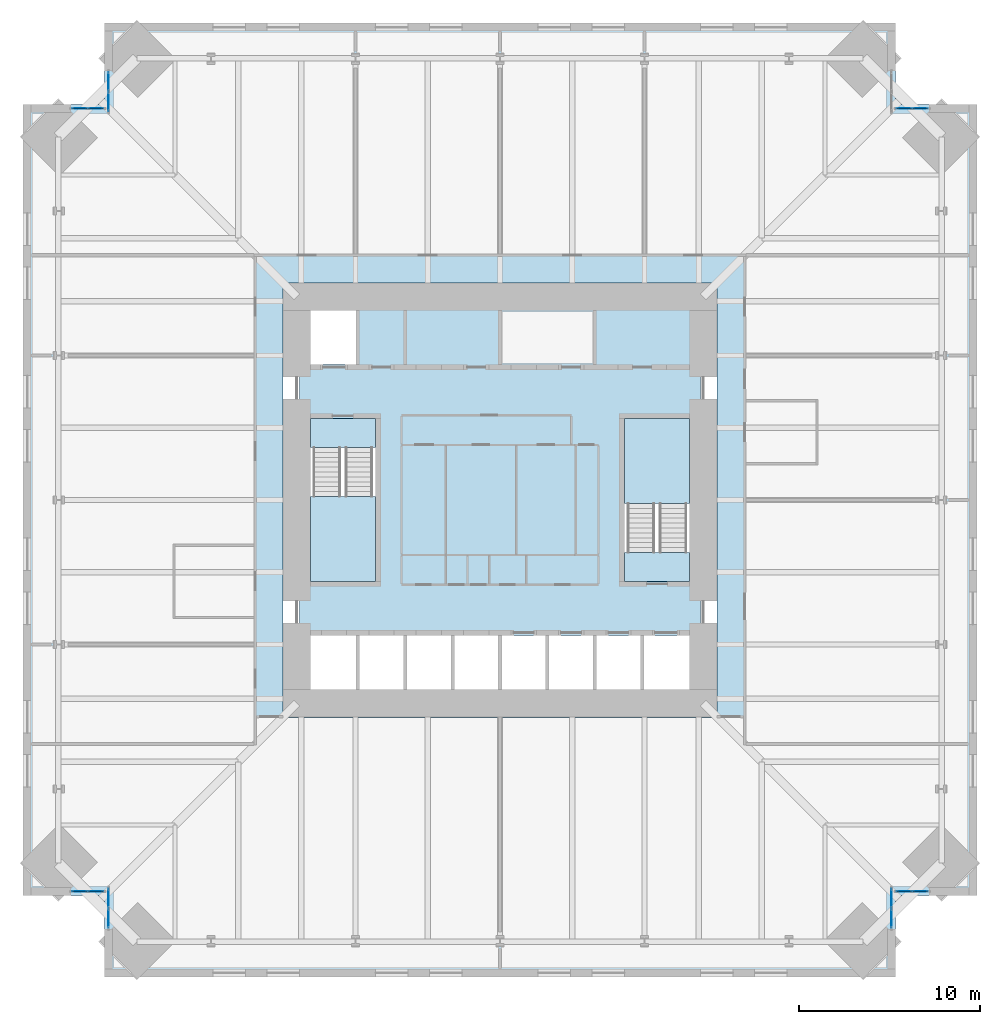
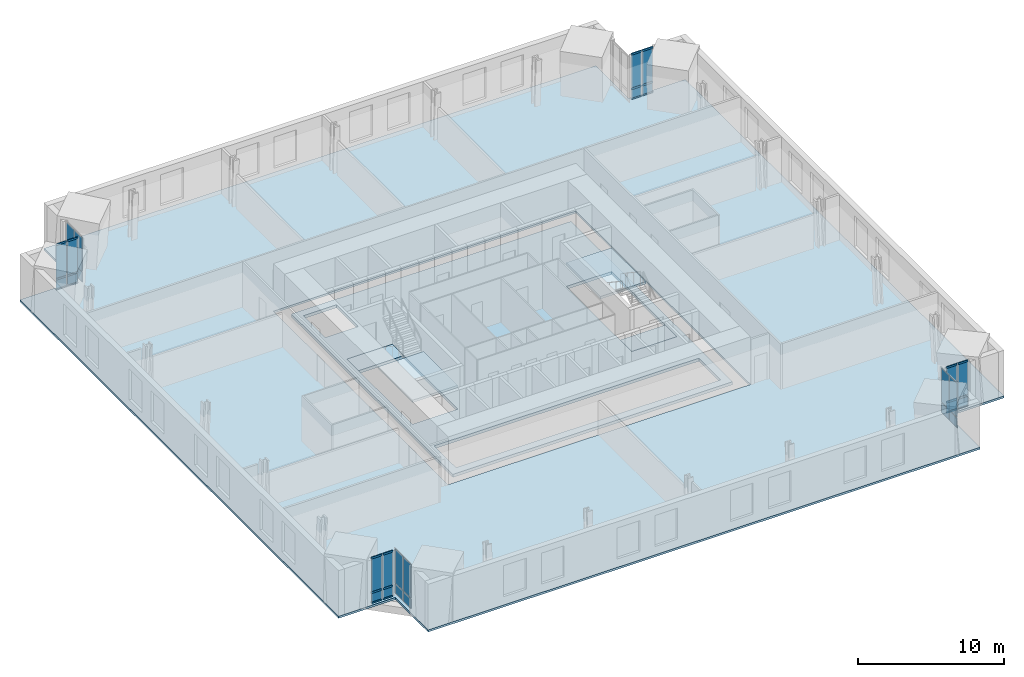
# One storey, part 12 of 18: 28 plates, 24 members, 6 slabs, 9 elements without a shape of their own.
"""IFC4 building model written with IfcOpenShell, lengths in metres."""

from ifc_helpers import new_model, si_unit, direction, frame, origin, origin_2d, place, context, subcontext, project, spatial, polyline, rectangle, hollow_rectangle, outline, extrude, material, layer, layer_set, material_profile, profile_set, type_object, element, aggregate, save


model = new_model("IFC4")

# Units and contexts
model_context = context("Model", 3, precision=1e-05, world=origin(), true_north=direction((0.0, 1.0)))
body_context = subcontext(model_context, "Body", "Model", "MODEL_VIEW")
ifc_project = project(units=[si_unit("LENGTHUNIT", "METRE"), si_unit("AREAUNIT", "SQUARE_METRE"), si_unit("VOLUMEUNIT", "CUBIC_METRE"), si_unit("PLANEANGLEUNIT", "RADIAN"), si_unit("MASSUNIT", "GRAM", prefix="KILO")], contexts=[model_context])

# Site, building, storey
site_placement = place(None, origin())
site = spatial("IfcSite", under=ifc_project, at=site_placement, CompositionType="ELEMENT")
building_placement = place(site_placement, origin())
building = spatial("IfcBuilding", under=site, at=building_placement, Name="Peilmerk Tower", CompositionType="ELEMENT")
storey_placement = place(building_placement, frame((0.0, 0.0, 159.800048828125)))
storey = spatial("IfcBuildingStorey", under=building, at=storey_placement, Name="L33", CompositionType="ELEMENT", Elevation=159.800048828125)

# Curtain wall, members
ifc_material_1 = material(Name="Aluminium stick curtain wall", Category="aluminium")
curtain_wall_type = type_object("IfcCurtainWallType", Name="CW3 stick curtain wall, 2250 module", PredefinedType="NOTDEFINED", material=ifc_material_1)
curtain_wall_1_placement = place(storey_placement, origin())
curtain_wall_1 = element("IfcCurtainWall", 1, at=curtain_wall_1_placement, inside=storey, type_object=curtain_wall_type, Name="Curtain wall CW3 NEB L33", PredefinedType="NOTDEFINED")
ifc_material_2 = material(Name="Aluminium EN AW-6063 T6", Category="aluminium")
ifc_material_profile = material_profile(ifc_material_2, hollow_rectangle(XDim=0.06494140625, YDim=0.14990234375, WallThickness=0.0029296875, at=origin_2d()), Name="AL 150x65x3")
ifc_profile_set = profile_set([ifc_material_profile], Name="Aluminium EN AW-6063 T6")
member_type = type_object("IfcMemberType", Name="CW3-T AL 150x65x3 transom", PredefinedType="USERDEFINED", material=ifc_profile_set)
member_1_placement = place(storey_placement, frame((21.965087890625, 21.675048828125, 0.032470703125), z_axis=(1.0, 0.0, 0.0), x_axis=(0.0, 1.0, 0.0)))
member_1 = element("IfcMember", 2, at=member_1_placement, type_object=member_type, Name="CW3 transom 1.1", ObjectType="TRANSOM", PredefinedType="USERDEFINED", context=body_context, shape_type="SweptSolid", body=[
    extrude(hollow_rectangle(XDim=0.06494140625, YDim=0.14990234375, WallThickness=0.0029296875, at=origin_2d()), origin(), (0.0, 0.0, 1.0), 0.82177734375),
])
member_2_placement = place(storey_placement, frame((21.965087890625, 21.675048828125, 0.89990234375), z_axis=(1.0, 0.0, 0.0), x_axis=(0.0, 1.0, 0.0)))
member_2 = element("IfcMember", 3, at=member_2_placement, type_object=member_type, Name="CW3 transom 1.2", ObjectType="TRANSOM", PredefinedType="USERDEFINED", context=body_context, shape_type="SweptSolid", body=[
    extrude(hollow_rectangle(XDim=0.06494140625, YDim=0.14990234375, WallThickness=0.0029296875, at=origin_2d()), origin(), (0.0, 0.0, 1.0), 0.82177734375),
])
member_3_placement = place(storey_placement, frame((21.965087890625, 21.675048828125, 3.79736328125), z_axis=(1.0, 0.0, 0.0), x_axis=(0.0, 1.0, 0.0)))
member_3 = element("IfcMember", 4, at=member_3_placement, type_object=member_type, Name="CW3 transom 1.3", ObjectType="TRANSOM", PredefinedType="USERDEFINED", context=body_context, shape_type="SweptSolid", body=[
    extrude(hollow_rectangle(XDim=0.06494140625, YDim=0.14990234375, WallThickness=0.0029296875, at=origin_2d()), origin(), (0.0, 0.0, 1.0), 0.82177734375),
])
member_4_placement = place(storey_placement, frame((22.851806640625, 21.675048828125, 0.032470703125), z_axis=(1.0, 0.0, 0.0), x_axis=(0.0, 1.0, 0.0)))
member_4 = element("IfcMember", 5, at=member_4_placement, type_object=member_type, Name="CW3 transom 2.1", ObjectType="TRANSOM", PredefinedType="USERDEFINED", context=body_context, shape_type="SweptSolid", body=[
    extrude(hollow_rectangle(XDim=0.06494140625, YDim=0.14990234375, WallThickness=0.0029296875, at=origin_2d()), origin(), (0.0, 0.0, 1.0), 0.82177734375),
])
member_5_placement = place(storey_placement, frame((22.851806640625, 21.675048828125, 0.89990234375), z_axis=(1.0, 0.0, 0.0), x_axis=(0.0, 1.0, 0.0)))
member_5 = element("IfcMember", 6, at=member_5_placement, type_object=member_type, Name="CW3 transom 2.2", ObjectType="TRANSOM", PredefinedType="USERDEFINED", context=body_context, shape_type="SweptSolid", body=[
    extrude(hollow_rectangle(XDim=0.06494140625, YDim=0.14990234375, WallThickness=0.0029296875, at=origin_2d()), origin(), (0.0, 0.0, 1.0), 0.82177734375),
])
member_6_placement = place(storey_placement, frame((22.851806640625, 21.675048828125, 3.79736328125), z_axis=(1.0, 0.0, 0.0), x_axis=(0.0, 1.0, 0.0)))
member_6 = element("IfcMember", 7, at=member_6_placement, type_object=member_type, Name="CW3 transom 2.3", ObjectType="TRANSOM", PredefinedType="USERDEFINED", context=body_context, shape_type="SweptSolid", body=[
    extrude(hollow_rectangle(XDim=0.06494140625, YDim=0.14990234375, WallThickness=0.0029296875, at=origin_2d()), origin(), (0.0, 0.0, 1.0), 0.82177734375),
])

curtain_wall_2_placement = place(storey_placement, origin())
curtain_wall_2 = element("IfcCurtainWall", 8, at=curtain_wall_2_placement, inside=storey, type_object=curtain_wall_type, Name="Curtain wall CW3 SEB L33", PredefinedType="NOTDEFINED")
member_7_placement = place(storey_placement, frame((21.965087890625, -21.675048828125, 0.032470703125), z_axis=(1.0, 0.0, 0.0), x_axis=(0.0, 1.0, 0.0)))
member_7 = element("IfcMember", 9, at=member_7_placement, type_object=member_type, Name="CW3 transom 1.1", ObjectType="TRANSOM", PredefinedType="USERDEFINED", context=body_context, shape_type="SweptSolid", body=[
    extrude(hollow_rectangle(XDim=0.06494140625, YDim=0.14990234375, WallThickness=0.0029296875, at=origin_2d()), origin(), (0.0, 0.0, 1.0), 0.82177734375),
])
member_8_placement = place(storey_placement, frame((21.965087890625, -21.675048828125, 0.89990234375), z_axis=(1.0, 0.0, 0.0), x_axis=(0.0, 1.0, 0.0)))
member_8 = element("IfcMember", 10, at=member_8_placement, type_object=member_type, Name="CW3 transom 1.2", ObjectType="TRANSOM", PredefinedType="USERDEFINED", context=body_context, shape_type="SweptSolid", body=[
    extrude(hollow_rectangle(XDim=0.06494140625, YDim=0.14990234375, WallThickness=0.0029296875, at=origin_2d()), origin(), (0.0, 0.0, 1.0), 0.82177734375),
])
member_9_placement = place(storey_placement, frame((21.965087890625, -21.675048828125, 3.79736328125), z_axis=(1.0, 0.0, 0.0), x_axis=(0.0, 1.0, 0.0)))
member_9 = element("IfcMember", 11, at=member_9_placement, type_object=member_type, Name="CW3 transom 1.3", ObjectType="TRANSOM", PredefinedType="USERDEFINED", context=body_context, shape_type="SweptSolid", body=[
    extrude(hollow_rectangle(XDim=0.06494140625, YDim=0.14990234375, WallThickness=0.0029296875, at=origin_2d()), origin(), (0.0, 0.0, 1.0), 0.82177734375),
])
member_10_placement = place(storey_placement, frame((22.851806640625, -21.675048828125, 0.032470703125), z_axis=(1.0, 0.0, 0.0), x_axis=(0.0, 1.0, 0.0)))
member_10 = element("IfcMember", 12, at=member_10_placement, type_object=member_type, Name="CW3 transom 2.1", ObjectType="TRANSOM", PredefinedType="USERDEFINED", context=body_context, shape_type="SweptSolid", body=[
    extrude(hollow_rectangle(XDim=0.06494140625, YDim=0.14990234375, WallThickness=0.0029296875, at=origin_2d()), origin(), (0.0, 0.0, 1.0), 0.82177734375),
])
member_11_placement = place(storey_placement, frame((22.851806640625, -21.675048828125, 0.89990234375), z_axis=(1.0, 0.0, 0.0), x_axis=(0.0, 1.0, 0.0)))
member_11 = element("IfcMember", 13, at=member_11_placement, type_object=member_type, Name="CW3 transom 2.2", ObjectType="TRANSOM", PredefinedType="USERDEFINED", context=body_context, shape_type="SweptSolid", body=[
    extrude(hollow_rectangle(XDim=0.06494140625, YDim=0.14990234375, WallThickness=0.0029296875, at=origin_2d()), origin(), (0.0, 0.0, 1.0), 0.82177734375),
])
member_12_placement = place(storey_placement, frame((22.851806640625, -21.675048828125, 3.79736328125), z_axis=(1.0, 0.0, 0.0), x_axis=(0.0, 1.0, 0.0)))
member_12 = element("IfcMember", 14, at=member_12_placement, type_object=member_type, Name="CW3 transom 2.3", ObjectType="TRANSOM", PredefinedType="USERDEFINED", context=body_context, shape_type="SweptSolid", body=[
    extrude(hollow_rectangle(XDim=0.06494140625, YDim=0.14990234375, WallThickness=0.0029296875, at=origin_2d()), origin(), (0.0, 0.0, 1.0), 0.82177734375),
])

curtain_wall_3_placement = place(storey_placement, origin())
curtain_wall_3 = element("IfcCurtainWall", 15, at=curtain_wall_3_placement, inside=storey, type_object=curtain_wall_type, Name="Curtain wall CW3 SWB L33", PredefinedType="NOTDEFINED")
member_13_placement = place(storey_placement, frame((-21.965087890625, -21.675048828125, 0.032470703125), z_axis=(-1.0, 0.0, 0.0), x_axis=(0.0, -1.0, 0.0)))
member_13 = element("IfcMember", 16, at=member_13_placement, type_object=member_type, Name="CW3 transom 1.1", ObjectType="TRANSOM", PredefinedType="USERDEFINED", context=body_context, shape_type="SweptSolid", body=[
    extrude(hollow_rectangle(XDim=0.06494140625, YDim=0.14990234375, WallThickness=0.0029296875, at=origin_2d()), origin(), (0.0, 0.0, 1.0), 0.82177734375),
])
member_14_placement = place(storey_placement, frame((-21.965087890625, -21.675048828125, 0.89990234375), z_axis=(-1.0, 0.0, 0.0), x_axis=(0.0, -1.0, 0.0)))
member_14 = element("IfcMember", 17, at=member_14_placement, type_object=member_type, Name="CW3 transom 1.2", ObjectType="TRANSOM", PredefinedType="USERDEFINED", context=body_context, shape_type="SweptSolid", body=[
    extrude(hollow_rectangle(XDim=0.06494140625, YDim=0.14990234375, WallThickness=0.0029296875, at=origin_2d()), origin(), (0.0, 0.0, 1.0), 0.82177734375),
])
member_15_placement = place(storey_placement, frame((-21.965087890625, -21.675048828125, 3.79736328125), z_axis=(-1.0, 0.0, 0.0), x_axis=(0.0, -1.0, 0.0)))
member_15 = element("IfcMember", 18, at=member_15_placement, type_object=member_type, Name="CW3 transom 1.3", ObjectType="TRANSOM", PredefinedType="USERDEFINED", context=body_context, shape_type="SweptSolid", body=[
    extrude(hollow_rectangle(XDim=0.06494140625, YDim=0.14990234375, WallThickness=0.0029296875, at=origin_2d()), origin(), (0.0, 0.0, 1.0), 0.82177734375),
])
member_16_placement = place(storey_placement, frame((-22.851806640625, -21.675048828125, 0.032470703125), z_axis=(-1.0, 0.0, 0.0), x_axis=(0.0, -1.0, 0.0)))
member_16 = element("IfcMember", 19, at=member_16_placement, type_object=member_type, Name="CW3 transom 2.1", ObjectType="TRANSOM", PredefinedType="USERDEFINED", context=body_context, shape_type="SweptSolid", body=[
    extrude(hollow_rectangle(XDim=0.06494140625, YDim=0.14990234375, WallThickness=0.0029296875, at=origin_2d()), origin(), (0.0, 0.0, 1.0), 0.82177734375),
])
member_17_placement = place(storey_placement, frame((-22.851806640625, -21.675048828125, 0.89990234375), z_axis=(-1.0, 0.0, 0.0), x_axis=(0.0, -1.0, 0.0)))
member_17 = element("IfcMember", 20, at=member_17_placement, type_object=member_type, Name="CW3 transom 2.2", ObjectType="TRANSOM", PredefinedType="USERDEFINED", context=body_context, shape_type="SweptSolid", body=[
    extrude(hollow_rectangle(XDim=0.06494140625, YDim=0.14990234375, WallThickness=0.0029296875, at=origin_2d()), origin(), (0.0, 0.0, 1.0), 0.82177734375),
])
member_18_placement = place(storey_placement, frame((-22.851806640625, -21.675048828125, 3.79736328125), z_axis=(-1.0, 0.0, 0.0), x_axis=(0.0, -1.0, 0.0)))
member_18 = element("IfcMember", 21, at=member_18_placement, type_object=member_type, Name="CW3 transom 2.3", ObjectType="TRANSOM", PredefinedType="USERDEFINED", context=body_context, shape_type="SweptSolid", body=[
    extrude(hollow_rectangle(XDim=0.06494140625, YDim=0.14990234375, WallThickness=0.0029296875, at=origin_2d()), origin(), (0.0, 0.0, 1.0), 0.82177734375),
])

curtain_wall_4_placement = place(storey_placement, origin())
curtain_wall_4 = element("IfcCurtainWall", 22, at=curtain_wall_4_placement, inside=storey, type_object=curtain_wall_type, Name="Curtain wall CW3 NWB L33", PredefinedType="NOTDEFINED")
member_19_placement = place(storey_placement, frame((-21.965087890625, 21.675048828125, 0.032470703125), z_axis=(-1.0, 0.0, 0.0), x_axis=(0.0, -1.0, 0.0)))
member_19 = element("IfcMember", 23, at=member_19_placement, type_object=member_type, Name="CW3 transom 1.1", ObjectType="TRANSOM", PredefinedType="USERDEFINED", context=body_context, shape_type="SweptSolid", body=[
    extrude(hollow_rectangle(XDim=0.06494140625, YDim=0.14990234375, WallThickness=0.0029296875, at=origin_2d()), origin(), (0.0, 0.0, 1.0), 0.82177734375),
])
member_20_placement = place(storey_placement, frame((-21.965087890625, 21.675048828125, 0.89990234375), z_axis=(-1.0, 0.0, 0.0), x_axis=(0.0, -1.0, 0.0)))
member_20 = element("IfcMember", 24, at=member_20_placement, type_object=member_type, Name="CW3 transom 1.2", ObjectType="TRANSOM", PredefinedType="USERDEFINED", context=body_context, shape_type="SweptSolid", body=[
    extrude(hollow_rectangle(XDim=0.06494140625, YDim=0.14990234375, WallThickness=0.0029296875, at=origin_2d()), origin(), (0.0, 0.0, 1.0), 0.82177734375),
])
member_21_placement = place(storey_placement, frame((-21.965087890625, 21.675048828125, 3.79736328125), z_axis=(-1.0, 0.0, 0.0), x_axis=(0.0, -1.0, 0.0)))
member_21 = element("IfcMember", 25, at=member_21_placement, type_object=member_type, Name="CW3 transom 1.3", ObjectType="TRANSOM", PredefinedType="USERDEFINED", context=body_context, shape_type="SweptSolid", body=[
    extrude(hollow_rectangle(XDim=0.06494140625, YDim=0.14990234375, WallThickness=0.0029296875, at=origin_2d()), origin(), (0.0, 0.0, 1.0), 0.82177734375),
])
member_22_placement = place(storey_placement, frame((-22.851806640625, 21.675048828125, 0.032470703125), z_axis=(-1.0, 0.0, 0.0), x_axis=(0.0, -1.0, 0.0)))
member_22 = element("IfcMember", 26, at=member_22_placement, type_object=member_type, Name="CW3 transom 2.1", ObjectType="TRANSOM", PredefinedType="USERDEFINED", context=body_context, shape_type="SweptSolid", body=[
    extrude(hollow_rectangle(XDim=0.06494140625, YDim=0.14990234375, WallThickness=0.0029296875, at=origin_2d()), origin(), (0.0, 0.0, 1.0), 0.82177734375),
])
member_23_placement = place(storey_placement, frame((-22.851806640625, 21.675048828125, 0.89990234375), z_axis=(-1.0, 0.0, 0.0), x_axis=(0.0, -1.0, 0.0)))
member_23 = element("IfcMember", 27, at=member_23_placement, type_object=member_type, Name="CW3 transom 2.2", ObjectType="TRANSOM", PredefinedType="USERDEFINED", context=body_context, shape_type="SweptSolid", body=[
    extrude(hollow_rectangle(XDim=0.06494140625, YDim=0.14990234375, WallThickness=0.0029296875, at=origin_2d()), origin(), (0.0, 0.0, 1.0), 0.82177734375),
])
member_24_placement = place(storey_placement, frame((-22.851806640625, 21.675048828125, 3.79736328125), z_axis=(-1.0, 0.0, 0.0), x_axis=(0.0, -1.0, 0.0)))
member_24 = element("IfcMember", 28, at=member_24_placement, type_object=member_type, Name="CW3 transom 2.3", ObjectType="TRANSOM", PredefinedType="USERDEFINED", context=body_context, shape_type="SweptSolid", body=[
    extrude(hollow_rectangle(XDim=0.06494140625, YDim=0.14990234375, WallThickness=0.0029296875, at=origin_2d()), origin(), (0.0, 0.0, 1.0), 0.82177734375),
])

# Slab
ifc_material_3 = material(Name="Concrete C55/67", Category="concrete")
ifc_layer_1 = layer(ifc_material_3, 0.25)
ifc_layer_set_1 = layer_set([ifc_layer_1], Name="Concrete C55/67")
slab_type_1 = type_object("IfcSlabType", Name="CS250 250 core floor slab", PredefinedType="FLOOR", material=ifc_layer_set_1)
slab_1_placement = place(storey_placement, frame((0.0, 0.0, -0.25)))
element("IfcSlab", 29, at=slab_1_placement, inside=storey, type_object=slab_type_1, Name="Core slab L33", PredefinedType="FLOOR", context=body_context, shape_type="SweptSolid", body=[
    extrude(outline(polyline([(11.10009765625, 11.10009765625), (-11.10009765625, 11.10009765625), (-11.10009765625, -11.10009765625), (11.10009765625, -11.10009765625), (11.10009765625, 11.10009765625)]), holes=[polyline([(-10.5, 7.5), (-10.5, 10.5), (-7.875, 10.5), (-7.875, 7.5), (-10.5, 7.5)]), polyline([(-10.5, -10.5), (-10.5, -7.5), (10.5, -7.5), (10.5, -10.5), (-10.5, -10.5)]), polyline([(-10.5, 4.5), (-6.89990234375, 4.5), (-6.89990234375, -4.5), (-10.5, -4.5), (-10.5, 4.5)]), polyline([(10.5, 4.5), (10.5, -4.5), (6.89990234375, -4.5), (6.89990234375, 4.5), (10.5, 4.5)])]), origin(), (0.0, 0.0, 1.0), 0.25),
])

# Plate
ifc_material_4 = material(Name="Clear insulated glazing unit", Category="glass")
ifc_layer_2 = layer(ifc_material_4, 0.028076171875)
ifc_layer_set_2 = layer_set([ifc_layer_2], Name="Clear insulated glazing unit")
plate_type = type_object("IfcPlateType", Name="CW3-P 28 glazed panel", PredefinedType="CURTAIN_PANEL", material=ifc_layer_set_2)
plate_1_placement = place(storey_placement, frame((22.3759765625, 21.675048828125, 0.06494140625), z_axis=(0.0, 0.0, 1.0), x_axis=(1.0, 0.0, 0.0)))
plate_1 = element("IfcPlate", 30, at=plate_1_placement, type_object=plate_type, Name="CW3 panel 1.1", PredefinedType="CURTAIN_PANEL", context=body_context, shape_type="SweptSolid", body=[
    extrude(rectangle(XDim=0.82177734375, YDim=0.028076171875, at=origin_2d()), origin(), (0.0, 0.0, 1.0), 0.802490234375),
])

plate_2_placement = place(storey_placement, frame((22.3759765625, 21.675048828125, 0.932373046875), z_axis=(0.0, 0.0, 1.0), x_axis=(1.0, 0.0, 0.0)))
plate_2 = element("IfcPlate", 31, at=plate_2_placement, type_object=plate_type, Name="CW3 panel 1.2", PredefinedType="CURTAIN_PANEL", context=body_context, shape_type="SweptSolid", body=[
    extrude(rectangle(XDim=0.82177734375, YDim=0.028076171875, at=origin_2d()), origin(), (0.0, 0.0, 1.0), 2.83251953125),
])

plate_3_placement = place(storey_placement, frame((23.2626953125, 21.675048828125, 0.06494140625), z_axis=(0.0, 0.0, 1.0), x_axis=(1.0, 0.0, 0.0)))
plate_3 = element("IfcPlate", 32, at=plate_3_placement, type_object=plate_type, Name="CW3 panel 2.1", PredefinedType="CURTAIN_PANEL", context=body_context, shape_type="SweptSolid", body=[
    extrude(rectangle(XDim=0.82177734375, YDim=0.028076171875, at=origin_2d()), origin(), (0.0, 0.0, 1.0), 0.802490234375),
])

plate_4_placement = place(storey_placement, frame((23.2626953125, 21.675048828125, 0.932373046875), z_axis=(0.0, 0.0, 1.0), x_axis=(1.0, 0.0, 0.0)))
plate_4 = element("IfcPlate", 33, at=plate_4_placement, type_object=plate_type, Name="CW3 panel 2.2", PredefinedType="CURTAIN_PANEL", context=body_context, shape_type="SweptSolid", body=[
    extrude(rectangle(XDim=0.82177734375, YDim=0.028076171875, at=origin_2d()), origin(), (0.0, 0.0, 1.0), 2.83251953125),
])

aggregate(curtain_wall_1, [member_1, member_2, member_3, plate_1, plate_2, member_4, member_5, member_6, plate_3, plate_4])

# Curtain wall, plates
curtain_wall_5_placement = place(storey_placement, origin())
curtain_wall_5 = element("IfcCurtainWall", 34, at=curtain_wall_5_placement, inside=storey, type_object=curtain_wall_type, Name="Curtain wall CW3 SEA L33", PredefinedType="NOTDEFINED")
plate_5_placement = place(storey_placement, frame((21.675048828125, -22.038330078125, 0.06494140625), z_axis=(0.0, 0.0, 1.0), x_axis=(0.0, -1.0, 0.0)))
plate_5 = element("IfcPlate", 35, at=plate_5_placement, type_object=plate_type, Name="CW3 panel 1.1", PredefinedType="CURTAIN_PANEL", context=body_context, shape_type="SweptSolid", body=[
    extrude(rectangle(XDim=1.046875, YDim=0.028076171875, at=origin_2d()), origin(), (0.0, 0.0, 1.0), 0.802490234375),
])
plate_6_placement = place(storey_placement, frame((21.675048828125, -22.038330078125, 0.932373046875), z_axis=(0.0, 0.0, 1.0), x_axis=(0.0, -1.0, 0.0)))
plate_6 = element("IfcPlate", 36, at=plate_6_placement, type_object=plate_type, Name="CW3 panel 1.2", PredefinedType="CURTAIN_PANEL", context=body_context, shape_type="SweptSolid", body=[
    extrude(rectangle(XDim=1.046875, YDim=0.028076171875, at=origin_2d()), origin(), (0.0, 0.0, 1.0), 2.83251953125),
])
plate_7_placement = place(storey_placement, frame((21.675048828125, -23.150146484375, 0.06494140625), z_axis=(0.0, 0.0, 1.0), x_axis=(0.0, -1.0, 0.0)))
plate_7 = element("IfcPlate", 37, at=plate_7_placement, type_object=plate_type, Name="CW3 panel 2.1", PredefinedType="CURTAIN_PANEL", context=body_context, shape_type="SweptSolid", body=[
    extrude(rectangle(XDim=1.046875, YDim=0.028076171875, at=origin_2d()), origin(), (0.0, 0.0, 1.0), 0.802490234375),
])
plate_8_placement = place(storey_placement, frame((21.675048828125, -23.150146484375, 0.932373046875), z_axis=(0.0, 0.0, 1.0), x_axis=(0.0, -1.0, 0.0)))
plate_8 = element("IfcPlate", 38, at=plate_8_placement, type_object=plate_type, Name="CW3 panel 2.2", PredefinedType="CURTAIN_PANEL", context=body_context, shape_type="SweptSolid", body=[
    extrude(rectangle(XDim=1.046875, YDim=0.028076171875, at=origin_2d()), origin(), (0.0, 0.0, 1.0), 2.83251953125),
])
aggregate(curtain_wall_5, [plate_5, plate_6, plate_7, plate_8])

# Plate
plate_9_placement = place(storey_placement, frame((22.3759765625, -21.675048828125, 0.06494140625), z_axis=(0.0, 0.0, 1.0), x_axis=(1.0, 0.0, 0.0)))
plate_9 = element("IfcPlate", 39, at=plate_9_placement, type_object=plate_type, Name="CW3 panel 1.1", PredefinedType="CURTAIN_PANEL", context=body_context, shape_type="SweptSolid", body=[
    extrude(rectangle(XDim=0.82177734375, YDim=0.028076171875, at=origin_2d()), origin(), (0.0, 0.0, 1.0), 0.802490234375),
])

plate_10_placement = place(storey_placement, frame((22.3759765625, -21.675048828125, 0.932373046875), z_axis=(0.0, 0.0, 1.0), x_axis=(1.0, 0.0, 0.0)))
plate_10 = element("IfcPlate", 40, at=plate_10_placement, type_object=plate_type, Name="CW3 panel 1.2", PredefinedType="CURTAIN_PANEL", context=body_context, shape_type="SweptSolid", body=[
    extrude(rectangle(XDim=0.82177734375, YDim=0.028076171875, at=origin_2d()), origin(), (0.0, 0.0, 1.0), 2.83251953125),
])

plate_11_placement = place(storey_placement, frame((23.2626953125, -21.675048828125, 0.06494140625), z_axis=(0.0, 0.0, 1.0), x_axis=(1.0, 0.0, 0.0)))
plate_11 = element("IfcPlate", 41, at=plate_11_placement, type_object=plate_type, Name="CW3 panel 2.1", PredefinedType="CURTAIN_PANEL", context=body_context, shape_type="SweptSolid", body=[
    extrude(rectangle(XDim=0.82177734375, YDim=0.028076171875, at=origin_2d()), origin(), (0.0, 0.0, 1.0), 0.802490234375),
])

plate_12_placement = place(storey_placement, frame((23.2626953125, -21.675048828125, 0.932373046875), z_axis=(0.0, 0.0, 1.0), x_axis=(1.0, 0.0, 0.0)))
plate_12 = element("IfcPlate", 42, at=plate_12_placement, type_object=plate_type, Name="CW3 panel 2.2", PredefinedType="CURTAIN_PANEL", context=body_context, shape_type="SweptSolid", body=[
    extrude(rectangle(XDim=0.82177734375, YDim=0.028076171875, at=origin_2d()), origin(), (0.0, 0.0, 1.0), 2.83251953125),
])

aggregate(curtain_wall_2, [member_7, member_8, member_9, plate_9, plate_10, member_10, member_11, member_12, plate_11, plate_12])

# Curtain wall, plates
curtain_wall_6_placement = place(storey_placement, origin())
curtain_wall_6 = element("IfcCurtainWall", 43, at=curtain_wall_6_placement, inside=storey, type_object=curtain_wall_type, Name="Curtain wall CW3 SWA L33", PredefinedType="NOTDEFINED")
plate_13_placement = place(storey_placement, frame((-21.675048828125, -22.038330078125, 0.06494140625), z_axis=(0.0, 0.0, 1.0), x_axis=(0.0, -1.0, 0.0)))
plate_13 = element("IfcPlate", 44, at=plate_13_placement, type_object=plate_type, Name="CW3 panel 1.1", PredefinedType="CURTAIN_PANEL", context=body_context, shape_type="SweptSolid", body=[
    extrude(rectangle(XDim=1.046875, YDim=0.028076171875, at=origin_2d()), origin(), (0.0, 0.0, 1.0), 0.802490234375),
])
plate_14_placement = place(storey_placement, frame((-21.675048828125, -22.038330078125, 0.932373046875), z_axis=(0.0, 0.0, 1.0), x_axis=(0.0, -1.0, 0.0)))
plate_14 = element("IfcPlate", 45, at=plate_14_placement, type_object=plate_type, Name="CW3 panel 1.2", PredefinedType="CURTAIN_PANEL", context=body_context, shape_type="SweptSolid", body=[
    extrude(rectangle(XDim=1.046875, YDim=0.028076171875, at=origin_2d()), origin(), (0.0, 0.0, 1.0), 2.83251953125),
])
plate_15_placement = place(storey_placement, frame((-21.675048828125, -23.150146484375, 0.06494140625), z_axis=(0.0, 0.0, 1.0), x_axis=(0.0, -1.0, 0.0)))
plate_15 = element("IfcPlate", 46, at=plate_15_placement, type_object=plate_type, Name="CW3 panel 2.1", PredefinedType="CURTAIN_PANEL", context=body_context, shape_type="SweptSolid", body=[
    extrude(rectangle(XDim=1.046875, YDim=0.028076171875, at=origin_2d()), origin(), (0.0, 0.0, 1.0), 0.802490234375),
])
plate_16_placement = place(storey_placement, frame((-21.675048828125, -23.150146484375, 0.932373046875), z_axis=(0.0, 0.0, 1.0), x_axis=(0.0, -1.0, 0.0)))
plate_16 = element("IfcPlate", 47, at=plate_16_placement, type_object=plate_type, Name="CW3 panel 2.2", PredefinedType="CURTAIN_PANEL", context=body_context, shape_type="SweptSolid", body=[
    extrude(rectangle(XDim=1.046875, YDim=0.028076171875, at=origin_2d()), origin(), (0.0, 0.0, 1.0), 2.83251953125),
])
aggregate(curtain_wall_6, [plate_13, plate_14, plate_15, plate_16])

# Plate
plate_17_placement = place(storey_placement, frame((-22.3759765625, -21.675048828125, 0.06494140625), z_axis=(0.0, 0.0, 1.0), x_axis=(-1.0, 0.0, 0.0)))
plate_17 = element("IfcPlate", 48, at=plate_17_placement, type_object=plate_type, Name="CW3 panel 1.1", PredefinedType="CURTAIN_PANEL", context=body_context, shape_type="SweptSolid", body=[
    extrude(rectangle(XDim=0.82177734375, YDim=0.028076171875, at=origin_2d()), origin(), (0.0, 0.0, 1.0), 0.802490234375),
])

plate_18_placement = place(storey_placement, frame((-22.3759765625, -21.675048828125, 0.932373046875), z_axis=(0.0, 0.0, 1.0), x_axis=(-1.0, 0.0, 0.0)))
plate_18 = element("IfcPlate", 49, at=plate_18_placement, type_object=plate_type, Name="CW3 panel 1.2", PredefinedType="CURTAIN_PANEL", context=body_context, shape_type="SweptSolid", body=[
    extrude(rectangle(XDim=0.82177734375, YDim=0.028076171875, at=origin_2d()), origin(), (0.0, 0.0, 1.0), 2.83251953125),
])

plate_19_placement = place(storey_placement, frame((-23.2626953125, -21.675048828125, 0.06494140625), z_axis=(0.0, 0.0, 1.0), x_axis=(-1.0, 0.0, 0.0)))
plate_19 = element("IfcPlate", 50, at=plate_19_placement, type_object=plate_type, Name="CW3 panel 2.1", PredefinedType="CURTAIN_PANEL", context=body_context, shape_type="SweptSolid", body=[
    extrude(rectangle(XDim=0.82177734375, YDim=0.028076171875, at=origin_2d()), origin(), (0.0, 0.0, 1.0), 0.802490234375),
])

plate_20_placement = place(storey_placement, frame((-23.2626953125, -21.675048828125, 0.932373046875), z_axis=(0.0, 0.0, 1.0), x_axis=(-1.0, 0.0, 0.0)))
plate_20 = element("IfcPlate", 51, at=plate_20_placement, type_object=plate_type, Name="CW3 panel 2.2", PredefinedType="CURTAIN_PANEL", context=body_context, shape_type="SweptSolid", body=[
    extrude(rectangle(XDim=0.82177734375, YDim=0.028076171875, at=origin_2d()), origin(), (0.0, 0.0, 1.0), 2.83251953125),
])

aggregate(curtain_wall_3, [member_13, member_14, member_15, plate_17, plate_18, member_16, member_17, member_18, plate_19, plate_20])

# Curtain wall, plates
curtain_wall_7_placement = place(storey_placement, origin())
curtain_wall_7 = element("IfcCurtainWall", 52, at=curtain_wall_7_placement, inside=storey, type_object=curtain_wall_type, Name="Curtain wall CW3 NWA L33", PredefinedType="NOTDEFINED")
plate_21_placement = place(storey_placement, frame((-21.675048828125, 22.038330078125, 0.06494140625), z_axis=(0.0, 0.0, 1.0), x_axis=(0.0, 1.0, 0.0)))
plate_21 = element("IfcPlate", 53, at=plate_21_placement, type_object=plate_type, Name="CW3 panel 1.1", PredefinedType="CURTAIN_PANEL", context=body_context, shape_type="SweptSolid", body=[
    extrude(rectangle(XDim=1.046875, YDim=0.028076171875, at=origin_2d()), origin(), (0.0, 0.0, 1.0), 0.802490234375),
])
plate_22_placement = place(storey_placement, frame((-21.675048828125, 22.038330078125, 0.932373046875), z_axis=(0.0, 0.0, 1.0), x_axis=(0.0, 1.0, 0.0)))
plate_22 = element("IfcPlate", 54, at=plate_22_placement, type_object=plate_type, Name="CW3 panel 1.2", PredefinedType="CURTAIN_PANEL", context=body_context, shape_type="SweptSolid", body=[
    extrude(rectangle(XDim=1.046875, YDim=0.028076171875, at=origin_2d()), origin(), (0.0, 0.0, 1.0), 2.83251953125),
])
plate_23_placement = place(storey_placement, frame((-21.675048828125, 23.150146484375, 0.06494140625), z_axis=(0.0, 0.0, 1.0), x_axis=(0.0, 1.0, 0.0)))
plate_23 = element("IfcPlate", 55, at=plate_23_placement, type_object=plate_type, Name="CW3 panel 2.1", PredefinedType="CURTAIN_PANEL", context=body_context, shape_type="SweptSolid", body=[
    extrude(rectangle(XDim=1.046875, YDim=0.028076171875, at=origin_2d()), origin(), (0.0, 0.0, 1.0), 0.802490234375),
])
plate_24_placement = place(storey_placement, frame((-21.675048828125, 23.150146484375, 0.932373046875), z_axis=(0.0, 0.0, 1.0), x_axis=(0.0, 1.0, 0.0)))
plate_24 = element("IfcPlate", 56, at=plate_24_placement, type_object=plate_type, Name="CW3 panel 2.2", PredefinedType="CURTAIN_PANEL", context=body_context, shape_type="SweptSolid", body=[
    extrude(rectangle(XDim=1.046875, YDim=0.028076171875, at=origin_2d()), origin(), (0.0, 0.0, 1.0), 2.83251953125),
])
aggregate(curtain_wall_7, [plate_21, plate_22, plate_23, plate_24])

# Plate
plate_25_placement = place(storey_placement, frame((-22.3759765625, 21.675048828125, 0.06494140625), z_axis=(0.0, 0.0, 1.0), x_axis=(-1.0, 0.0, 0.0)))
plate_25 = element("IfcPlate", 57, at=plate_25_placement, type_object=plate_type, Name="CW3 panel 1.1", PredefinedType="CURTAIN_PANEL", context=body_context, shape_type="SweptSolid", body=[
    extrude(rectangle(XDim=0.82177734375, YDim=0.028076171875, at=origin_2d()), origin(), (0.0, 0.0, 1.0), 0.802490234375),
])

plate_26_placement = place(storey_placement, frame((-22.3759765625, 21.675048828125, 0.932373046875), z_axis=(0.0, 0.0, 1.0), x_axis=(-1.0, 0.0, 0.0)))
plate_26 = element("IfcPlate", 58, at=plate_26_placement, type_object=plate_type, Name="CW3 panel 1.2", PredefinedType="CURTAIN_PANEL", context=body_context, shape_type="SweptSolid", body=[
    extrude(rectangle(XDim=0.82177734375, YDim=0.028076171875, at=origin_2d()), origin(), (0.0, 0.0, 1.0), 2.83251953125),
])

plate_27_placement = place(storey_placement, frame((-23.2626953125, 21.675048828125, 0.06494140625), z_axis=(0.0, 0.0, 1.0), x_axis=(-1.0, 0.0, 0.0)))
plate_27 = element("IfcPlate", 59, at=plate_27_placement, type_object=plate_type, Name="CW3 panel 2.1", PredefinedType="CURTAIN_PANEL", context=body_context, shape_type="SweptSolid", body=[
    extrude(rectangle(XDim=0.82177734375, YDim=0.028076171875, at=origin_2d()), origin(), (0.0, 0.0, 1.0), 0.802490234375),
])

plate_28_placement = place(storey_placement, frame((-23.2626953125, 21.675048828125, 0.932373046875), z_axis=(0.0, 0.0, 1.0), x_axis=(-1.0, 0.0, 0.0)))
plate_28 = element("IfcPlate", 60, at=plate_28_placement, type_object=plate_type, Name="CW3 panel 2.2", PredefinedType="CURTAIN_PANEL", context=body_context, shape_type="SweptSolid", body=[
    extrude(rectangle(XDim=0.82177734375, YDim=0.028076171875, at=origin_2d()), origin(), (0.0, 0.0, 1.0), 2.83251953125),
])

aggregate(curtain_wall_4, [member_19, member_20, member_21, plate_25, plate_26, member_22, member_23, member_24, plate_27, plate_28])

# Slab
ifc_material_5 = material(Name="Concrete C35/45", Category="concrete")
ifc_layer_3 = layer(ifc_material_5, 0.169921875)
ifc_layer_set_3 = layer_set([ifc_layer_3], Name="Concrete C35/45")
slab_type_2 = type_object("IfcSlabType", Name="FS170 170 composite floor slab", PredefinedType="FLOOR", material=ifc_layer_set_3)
slab_2_placement = place(storey_placement, frame((0.0, 0.0, -0.170166015625)))
element("IfcSlab", 61, at=slab_2_placement, inside=storey, type_object=slab_type_2, Name="Floor slab L33", PredefinedType="FLOOR", context=body_context, shape_type="SweptSolid", body=[
    extrude(outline(polyline([(-21.89990234375, -26.39990234375), (21.89990234375, -26.39990234375), (21.89990234375, -21.89990234375), (26.39990234375, -21.89990234375), (26.39990234375, 21.89990234375), (21.89990234375, 21.89990234375), (21.89990234375, 26.39990234375), (-21.89990234375, 26.39990234375), (-21.89990234375, 21.89990234375), (-26.39990234375, 21.89990234375), (-26.39990234375, -21.89990234375), (-21.89990234375, -21.89990234375), (-21.89990234375, -26.39990234375)]), holes=[polyline([(12.0, 12.0), (12.0, -12.0), (-12.0, -12.0), (-12.0, 12.0), (12.0, 12.0)])]), origin(), (0.0, 0.0, 1.0), 0.170166015625),
])

# Stair, slab
ifc_material_6 = material(Name="Precast concrete C45/55", Category="concrete")
stair_type_1 = type_object("IfcStairType", Name="ST1 22 risers of 181.8", PredefinedType="HALF_TURN_STAIR", material=ifc_material_6)
stair_1_placement = place(storey_placement, origin())
stair_1 = element("IfcStair", 62, at=stair_1_placement, inside=storey, type_object=stair_type_1, Name="Stair 1 L33 to L34", PredefinedType="HALF_TURN_STAIR")
ifc_layer_4 = layer(ifc_material_5, 0.199951171875)
ifc_layer_set_4 = layer_set([ifc_layer_4], Name="Concrete C35/45")
slab_type_3 = type_object("IfcSlabType", Name="SL1 200 concrete stair landing", PredefinedType="LANDING", material=ifc_layer_set_4)
slab_3_placement = place(storey_placement, frame((0.0, 0.0, 1.800048828125)))
slab_3 = element("IfcSlab", 63, at=slab_3_placement, type_object=slab_type_3, Name="ST1 landing 1", PredefinedType="LANDING", context=body_context, shape_type="SweptSolid", body=[
    extrude(outline(polyline([(-10.5, -4.5), (-6.89990234375, -4.5), (-6.89990234375, 0.199951171875), (-10.5, 0.199951171875), (-10.5, -4.5)])), origin(), (0.0, 0.0, 1.0), 0.199951171875),
])

stair_type_2 = type_object("IfcStairType", Name="ST2 22 risers of 181.8", PredefinedType="HALF_TURN_STAIR", material=ifc_material_6)
stair_2_placement = place(storey_placement, origin())
stair_2 = element("IfcStair", 64, at=stair_2_placement, inside=storey, type_object=stair_type_2, Name="Stair 2 L33 to L34", PredefinedType="HALF_TURN_STAIR")
slab_4_placement = place(storey_placement, frame((0.0, 0.0, 1.800048828125)))
slab_4 = element("IfcSlab", 65, at=slab_4_placement, type_object=slab_type_3, Name="ST2 landing 1", PredefinedType="LANDING", context=body_context, shape_type="SweptSolid", body=[
    extrude(outline(polyline([(6.89990234375, -0.199951171875), (10.5, -0.199951171875), (10.5, 4.5), (6.89990234375, 4.5), (6.89990234375, -0.199951171875)])), origin(), (0.0, 0.0, 1.0), 0.199951171875),
])

# Slab
ifc_layer_5 = layer(ifc_material_5, 0.25)
ifc_layer_set_5 = layer_set([ifc_layer_5], Name="Concrete C35/45")
slab_type_4 = type_object("IfcSlabType", Name="SL2 250 concrete floor landing", PredefinedType="LANDING", material=ifc_layer_set_5)
slab_5_placement = place(storey_placement, frame((0.0, 0.0, -0.25)))
slab_5 = element("IfcSlab", 66, at=slab_5_placement, type_object=slab_type_4, Name="ST1 floor landing", PredefinedType="LANDING", context=body_context, shape_type="SweptSolid", body=[
    extrude(outline(polyline([(-10.5, 2.89990234375), (-6.89990234375, 2.89990234375), (-6.89990234375, 4.5), (-10.5, 4.5), (-10.5, 2.89990234375)])), origin(), (0.0, 0.0, 1.0), 0.25),
])

aggregate(stair_1, [slab_3, slab_5])

slab_6_placement = place(storey_placement, frame((0.0, 0.0, -0.25)))
slab_6 = element("IfcSlab", 67, at=slab_6_placement, type_object=slab_type_4, Name="ST2 floor landing", PredefinedType="LANDING", context=body_context, shape_type="SweptSolid", body=[
    extrude(outline(polyline([(6.89990234375, -4.5), (10.5, -4.5), (10.5, -2.89990234375), (6.89990234375, -2.89990234375), (6.89990234375, -4.5)])), origin(), (0.0, 0.0, 1.0), 0.25),
])

aggregate(stair_2, [slab_4, slab_6])

save(model, "model.ifc")
